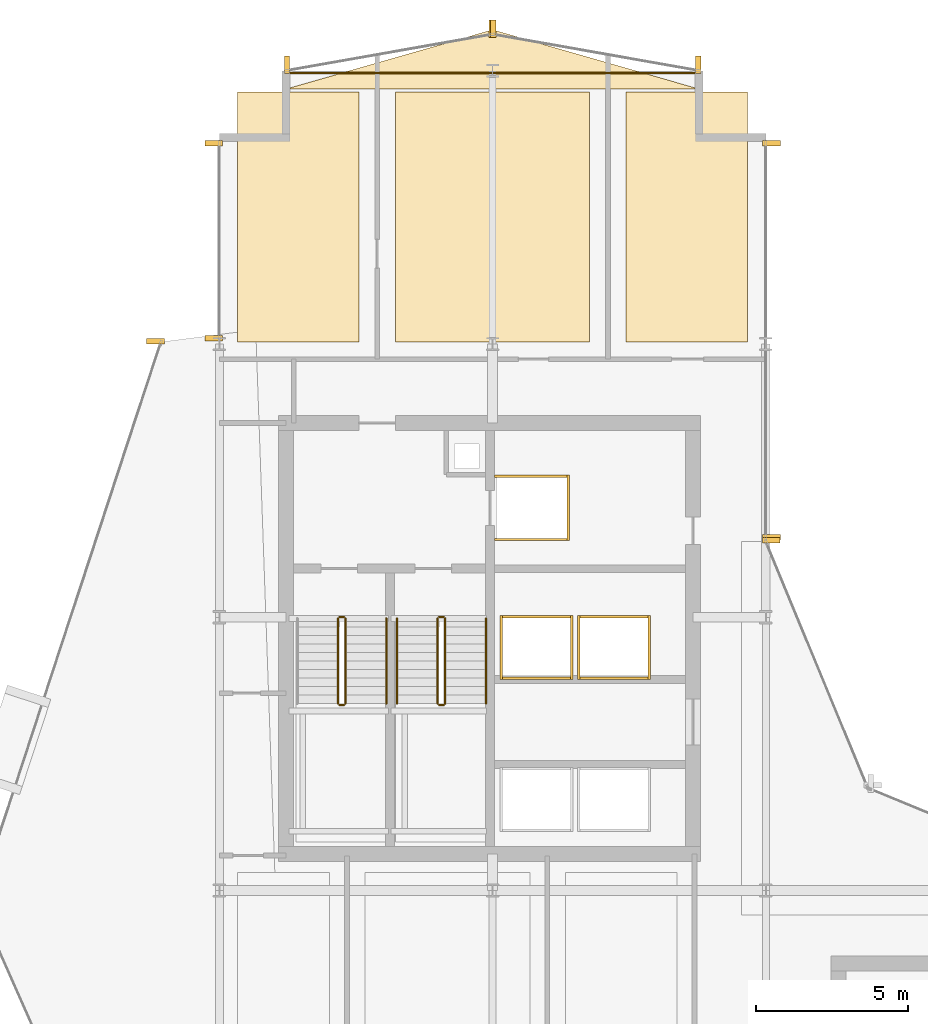
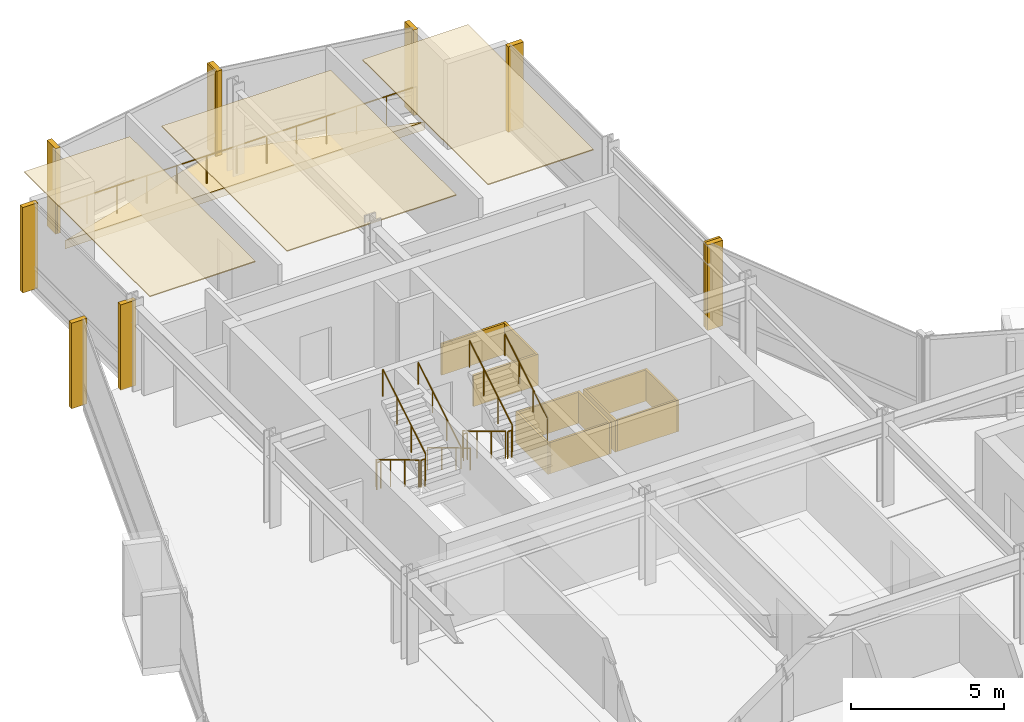
# One storey, part 28 of 28: 25 coverings, 12 railings.
"""IFC4 building model written with IfcOpenShell, lengths in metres."""

from ifc_helpers import new_model, si_unit, direction, frame, origin, origin_2d, place, context, subcontext, project, spatial, polyline, rectangle, circle, outline, extrude, material, layer, layer_set, type_object, element, save


model = new_model("IFC4")

# Units and contexts
model_context = context("Model", 3, precision=1e-05, world=origin(), true_north=direction((0.0, 1.0)))
body_context = subcontext(model_context, "Body", "Model", "MODEL_VIEW")
ifc_project = project(units=[si_unit("LENGTHUNIT", "METRE"), si_unit("AREAUNIT", "SQUARE_METRE"), si_unit("VOLUMEUNIT", "CUBIC_METRE"), si_unit("PLANEANGLEUNIT", "RADIAN"), si_unit("MASSUNIT", "GRAM", prefix="KILO")], contexts=[model_context])

# Site, building, storey
site_placement = place(None, origin())
site = spatial("IfcSite", under=ifc_project, at=site_placement, CompositionType="ELEMENT")
building_placement = place(site_placement, origin())
building = spatial("IfcBuilding", under=site, at=building_placement, Name="Solvaryn Broadcast Tower", CompositionType="ELEMENT")
storey_placement = place(building_placement, frame((0.0, 0.0, 150.699951171875)))
storey = spatial("IfcBuildingStorey", under=building, at=storey_placement, Name="L37", CompositionType="ELEMENT", Elevation=150.699951171875)

# Coverings
ifc_material_1 = material(Name="Micro-Perforated Acoustic Gypsum Ceiling", Category="concrete")
ifc_layer_1 = layer(ifc_material_1, 0.0400390625)
ifc_layer_set_1 = layer_set([ifc_layer_1], Name="CV-CEIL-ACOUSTIC")
covering_type_1 = type_object("IfcCoveringType", Name="CV-CEIL-ACOUSTIC", PredefinedType="CEILING", material=ifc_layer_set_1)
covering_1_placement = place(storey_placement, frame((0.0, 0.0, 3.380126953125)))
element("IfcCovering", 1, at=covering_1_placement, inside=storey, type_object=covering_type_1, Name="L37 Room Acoustic Ceiling 8", PredefinedType="CEILING", context=body_context, shape_type="SweptSolid", body=[
    extrude(outline(polyline([(9.60009765625, 45.070068359375), (13.60009765625, 45.070068359375), (13.60009765625, 53.300048828125), (9.60009765625, 53.300048828125), (9.60009765625, 45.070068359375)])), origin(), (0.0, 0.0, 1.0), 0.0400390625),
])
covering_2_placement = place(storey_placement, frame((0.0, 0.0, 3.380126953125)))
element("IfcCovering", 2, at=covering_2_placement, inside=storey, type_object=covering_type_1, Name="L37 Room Acoustic Ceiling 9", PredefinedType="CEILING", context=body_context, shape_type="SweptSolid", body=[
    extrude(outline(polyline([(14.800048828125, 45.070068359375), (21.199951171875, 45.070068359375), (21.199951171875, 53.300048828125), (14.800048828125, 53.300048828125), (14.800048828125, 45.070068359375)])), origin(), (0.0, 0.0, 1.0), 0.0400390625),
])
covering_3_placement = place(storey_placement, frame((0.0, 0.0, 3.380126953125)))
element("IfcCovering", 3, at=covering_3_placement, inside=storey, type_object=covering_type_1, Name="L37 Room Acoustic Ceiling 10", PredefinedType="CEILING", context=body_context, shape_type="SweptSolid", body=[
    extrude(outline(polyline([(22.39990234375, 45.070068359375), (26.39990234375, 45.070068359375), (26.39990234375, 53.300048828125), (22.39990234375, 53.300048828125), (22.39990234375, 45.070068359375)])), origin(), (0.0, 0.0, 1.0), 0.0400390625),
])
ifc_material_2 = material(Name="Fire-Rated Gypsum Shaftwall Liner", Category="concrete")
ifc_layer_2 = layer(ifc_material_2, 0.080078125)
ifc_layer_set_2 = layer_set([ifc_layer_2], Name="CV-SHAFT-LINER")
covering_type_2 = type_object("IfcCoveringType", Name="CV-SHAFT-LINER", PredefinedType="CLADDING", material=ifc_layer_set_2)
for number, where, z_axis, x_axis, name in (
    (4, (19.300048828125, 40.639892578125, 0.0), (0.0, 0.0, 1.0), (1.0, 0.0, 0.0), "L37 FL1 Hoistway Shaft Liner North"),
    (5, (19.300048828125, 38.56005859375, 0.0), (0.0, 0.0, 1.0), (1.0, 0.0, 0.0), "L37 FL1 Hoistway Shaft Liner South"),
):
    element("IfcCovering", number, at=place(storey_placement, frame(where, z_axis=z_axis, x_axis=x_axis)), inside=storey, type_object=covering_type_2, Name=name, PredefinedType="CLADDING", context=body_context, shape_type="SweptSolid", body=[
        extrude(rectangle(XDim=2.4599609375, YDim=0.080078125, at=origin_2d()), origin(), (0.0, 0.0, 1.0), 1.25),
    ])
covering_4_placement = place(storey_placement, frame((20.489990234375, 39.60009765625, 0.0), z_axis=(0.0, 0.0, 1.0), x_axis=(1.0, 0.0, 0.0)))
element("IfcCovering", 6, at=covering_4_placement, inside=storey, type_object=covering_type_2, Name="L37 FL1 Hoistway Shaft Liner East", PredefinedType="CLADDING", context=body_context, shape_type="SweptSolid", body=[
    extrude(rectangle(XDim=0.080078125, YDim=2.159912109375, at=origin_2d()), origin(), (0.0, 0.0, 1.0), 1.25),
])
for number, where, z_axis, x_axis, name in (
    (7, (19.449951171875, 36.014892578125, 0.0), (0.0, 0.0, 1.0), (1.0, 0.0, 0.0), "L37 PH3 Hoistway Shaft Liner North"),
    (8, (19.449951171875, 33.985107421875, 0.0), (0.0, 0.0, 1.0), (1.0, 0.0, 0.0), "L37 PH3 Hoistway Shaft Liner South"),
):
    element("IfcCovering", number, at=place(storey_placement, frame(where, z_axis=z_axis, x_axis=x_axis)), inside=storey, type_object=covering_type_2, Name=name, PredefinedType="CLADDING", context=body_context, shape_type="SweptSolid", body=[
        extrude(rectangle(XDim=2.409912109375, YDim=0.080078125, at=origin_2d()), origin(), (0.0, 0.0, 1.0), 1.25),
    ])
for number, where, z_axis, x_axis, name in (
    (9, (20.614990234375, 35.0, 0.0), (0.0, 0.0, 1.0), (1.0, 0.0, 0.0), "L37 PH3 Hoistway Shaft Liner East"),
    (10, (18.284912109375, 35.0, 0.0), (0.0, 0.0, 1.0), (1.0, 0.0, 0.0), "L37 PH3 Hoistway Shaft Liner West"),
):
    element("IfcCovering", number, at=place(storey_placement, frame(where, z_axis=z_axis, x_axis=x_axis)), inside=storey, type_object=covering_type_2, Name=name, PredefinedType="CLADDING", context=body_context, shape_type="SweptSolid", body=[
        extrude(rectangle(XDim=0.080078125, YDim=2.110107421875, at=origin_2d()), origin(), (0.0, 0.0, 1.0), 1.25),
    ])
for number, where, z_axis, x_axis, name in (
    (11, (22.0, 36.014892578125, 0.0), (0.0, 0.0, 1.0), (1.0, 0.0, 0.0), "L37 PH4 Hoistway Shaft Liner North"),
    (12, (22.0, 33.985107421875, 0.0), (0.0, 0.0, 1.0), (1.0, 0.0, 0.0), "L37 PH4 Hoistway Shaft Liner South"),
):
    element("IfcCovering", number, at=place(storey_placement, frame(where, z_axis=z_axis, x_axis=x_axis)), inside=storey, type_object=covering_type_2, Name=name, PredefinedType="CLADDING", context=body_context, shape_type="SweptSolid", body=[
        extrude(rectangle(XDim=2.409912109375, YDim=0.080078125, at=origin_2d()), origin(), (0.0, 0.0, 1.0), 1.25),
    ])
for number, where, z_axis, x_axis, name in (
    (13, (23.1650390625, 35.0, 0.0), (0.0, 0.0, 1.0), (1.0, 0.0, 0.0), "L37 PH4 Hoistway Shaft Liner East"),
    (14, (20.8349609375, 35.0, 0.0), (0.0, 0.0, 1.0), (1.0, 0.0, 0.0), "L37 PH4 Hoistway Shaft Liner West"),
):
    element("IfcCovering", number, at=place(storey_placement, frame(where, z_axis=z_axis, x_axis=x_axis)), inside=storey, type_object=covering_type_2, Name=name, PredefinedType="CLADDING", context=body_context, shape_type="SweptSolid", body=[
        extrude(rectangle(XDim=0.080078125, YDim=2.110107421875, at=origin_2d()), origin(), (0.0, 0.0, 1.0), 1.25),
    ])
ifc_material_3 = material(Name="Extruded Architectural Terracotta Fin", Category="masonry")
ifc_layer_3 = layer(ifc_material_3, 0.179931640625)
ifc_layer_set_3 = layer_set([ifc_layer_3], Name="CV-TC-FIN")
covering_type_3 = type_object("IfcCoveringType", Name="CV-TC-FIN", PredefinedType="USERDEFINED", material=ifc_layer_set_3)
for number, where, z_axis, x_axis, name in (
    (15, (6.898681640625, 45.0947265625, 0.0), (0.0, 0.0, 1.0), (1.0, 0.0, 0.0), "L37 Terracotta Vertical Fin FIN-L37-DR1-M00"),
    (16, (8.8125, 45.197021484375, 0.0), (0.0, 0.0, 1.0), (1.0, 0.0, 0.0), "L37 Terracotta Vertical Fin FIN-L37-W2-M00"),
    (17, (8.8125, 51.6201171875, 0.0), (0.0, 0.0, 1.0), (1.0, 0.0, 0.0), "L37 Terracotta Vertical Fin FIN-L37-W2-M01"),
    (18, (27.1875, 51.6201171875, 0.0), (0.0, 0.0, 1.0), (1.0, 0.0, 0.0), "L37 Terracotta Vertical Fin FIN-L37-IV-M00"),
    (19, (27.1875, 38.6298828125, 0.0), (0.0, 0.0, 1.0), (1.0, 0.0, 0.0), "L37 Terracotta Vertical Fin FIN-L37-IV-M01"),
    (20, (27.177978515625, 38.541259765625, 0.0), (0.0, 0.0, 1.0), (1.0, 0.0, 0.0), "L37 Terracotta Vertical Fin FIN-L37-CN2-M01"),
):
    element("IfcCovering", number, at=place(storey_placement, frame(where, z_axis=z_axis, x_axis=x_axis)), inside=storey, type_object=covering_type_3, Name=name, ObjectType="FIN", PredefinedType="USERDEFINED", context=body_context, shape_type="SweptSolid", body=[
        extrude(rectangle(XDim=0.580078125, YDim=0.179931640625, at=origin_2d()), origin(), (0.0, 0.0, 1.0), 3.419921875),
    ])
for number, where, z_axis, x_axis, name in (
    (21, (24.7705078125, 54.192626953125, 0.0), (0.0, 0.0, 1.0), (1.0, 0.0, 0.0), "L37 Terracotta Vertical Fin FIN-L37-NT1-M00"),
    (22, (18.029541015625, 55.38232421875, 0.0), (0.0, 0.0, 1.0), (1.0, 0.0, 0.0), "L37 Terracotta Vertical Fin FIN-L37-NT1-M01"),
    (23, (17.970458984375, 55.38232421875, 0.0), (0.0, 0.0, 1.0), (1.0, 0.0, 0.0), "L37 Terracotta Vertical Fin FIN-L37-NT2-M00"),
    (24, (11.2294921875, 54.192626953125, 0.0), (0.0, 0.0, 1.0), (1.0, 0.0, 0.0), "L37 Terracotta Vertical Fin FIN-L37-NT2-M01"),
):
    element("IfcCovering", number, at=place(storey_placement, frame(where, z_axis=z_axis, x_axis=x_axis)), inside=storey, type_object=covering_type_3, Name=name, ObjectType="FIN", PredefinedType="USERDEFINED", context=body_context, shape_type="SweptSolid", body=[
        extrude(rectangle(XDim=0.179931640625, YDim=0.580078125, at=origin_2d()), origin(), (0.0, 0.0, 1.0), 3.419921875),
    ])
ifc_material_4 = material(Name="Sculpted Architectural Terracotta Wave Fascia", Category="masonry")
ifc_layer_4 = layer(ifc_material_4, 0.340087890625)
ifc_layer_set_4 = layer_set([ifc_layer_4], Name="CV-WAVE-TRAY")
covering_type_4 = type_object("IfcCoveringType", Name="CV-WAVE-TRAY", PredefinedType="CLADDING", material=ifc_layer_set_4)
covering_5_placement = place(storey_placement, frame((0.0, 0.0, -0.300048828125)))
element("IfcCovering", 25, at=covering_5_placement, inside=storey, type_object=covering_type_4, Name="L37 North Curved Wing Deck", PredefinedType="CLADDING", context=body_context, shape_type="SweptSolid", body=[
    extrude(outline(polyline([(11.199951171875, 53.39990234375), (24.800048828125, 53.39990234375), (18.0, 55.35009765625), (11.199951171875, 53.39990234375)])), origin(), (0.0, 0.0, 1.0), 0.330078125),
])

# Railings
ifc_material_5 = material(Name="Painted Steel Stair Well Guard", Category="steel")
railing_type_1 = type_object("IfcRailingType", Name="RL-STAIR-GUARD", PredefinedType="BALUSTRADE", material=ifc_material_5)
railing_1_placement = place(storey_placement, frame((12.909912109375, 35.9599609375, 0.168212890625)))
element("IfcRailing", 26, at=railing_1_placement, inside=storey, type_object=railing_type_1, Name="L37 ST1 stair guard 1", PredefinedType="BALUSTRADE", context=body_context, shape_type="SweptSolid", body=[
    extrude(circle(Radius=0.02392578125, at=origin_2d()), frame((0.0, 0.0, 1.076171875), z_axis=(0.0, -0.857242210791, 0.514913383045), x_axis=(1.0, 0.0, 0.0)), (0.0, 0.0, 1.0), 3.266357421875),
    extrude(circle(Radius=0.02099609375, at=origin_2d()), origin(), (0.0, 0.0, 1.0), 1.052001953125),
    extrude(circle(Radius=0.02099609375, at=origin_2d()), frame((0.0, -0.933349609375, 0.560546875)), (0.0, 0.0, 1.0), 1.052001953125),
    extrude(circle(Radius=0.02099609375, at=origin_2d()), frame((0.0, -1.86669921875, 1.121337890625)), (0.0, 0.0, 1.0), 1.052001953125),
    extrude(circle(Radius=0.02099609375, at=origin_2d()), frame((0.0, -2.800048828125, 1.681884765625)), (0.0, 0.0, 1.0), 1.052001953125),
])
railing_2_placement = place(storey_placement, frame((12.9599609375, 33.110107421875, 1.85009765625)))
element("IfcRailing", 27, at=railing_2_placement, inside=storey, type_object=railing_type_1, Name="L37 ST1 stair guard 2", PredefinedType="BALUSTRADE", context=body_context, shape_type="SweptSolid", body=[
    extrude(circle(Radius=0.02392578125, at=origin_2d()), frame((0.0, 0.0, 1.076171875), z_axis=(1.0, 0.0, 0.0), x_axis=(0.0, 1.0, 0.0)), (0.0, 0.0, 1.0), 0.150146484375),
    extrude(circle(Radius=0.02099609375, at=origin_2d()), origin(), (0.0, 0.0, 1.0), 1.052001953125),
    extrude(circle(Radius=0.02099609375, at=origin_2d()), frame((0.150146484375, 0.0, 0.0)), (0.0, 0.0, 1.0), 1.052001953125),
])
railing_3_placement = place(storey_placement, frame((13.159912109375, 33.159912109375, 2.018310546875)))
element("IfcRailing", 28, at=railing_3_placement, inside=storey, type_object=railing_type_1, Name="L37 ST1 stair guard 3", PredefinedType="BALUSTRADE", context=body_context, shape_type="SweptSolid", body=[
    extrude(circle(Radius=0.02392578125, at=origin_2d()), frame((0.0, 0.0, 1.076171875), z_axis=(0.0, 0.857275202839, 0.514858452973), x_axis=(-1.0, 0.0, 0.0)), (0.0, 0.0, 1.0), 3.26611328125),
    extrude(circle(Radius=0.02099609375, at=origin_2d()), origin(), (0.0, 0.0, 1.0), 1.052001953125),
    extrude(circle(Radius=0.02099609375, at=origin_2d()), frame((0.0, 0.933349609375, 0.560546875)), (0.0, 0.0, 1.0), 1.052001953125),
    extrude(circle(Radius=0.02099609375, at=origin_2d()), frame((0.0, 1.86669921875, 1.12109375)), (0.0, 0.0, 1.0), 1.052001953125),
    extrude(circle(Radius=0.02099609375, at=origin_2d()), frame((0.0, 2.800048828125, 1.681640625)), (0.0, 0.0, 1.0), 1.052001953125),
])
railing_4_placement = place(storey_placement, frame((12.9599609375, 36.010009765625, 0.0)))
element("IfcRailing", 29, at=railing_4_placement, inside=storey, type_object=railing_type_1, Name="L37 ST1 stair guard 4", PredefinedType="BALUSTRADE", context=body_context, shape_type="SweptSolid", body=[
    extrude(circle(Radius=0.02392578125, at=origin_2d()), frame((0.0, 0.0, 1.076171875), z_axis=(1.0, 0.0, 0.0), x_axis=(0.0, 1.0, 0.0)), (0.0, 0.0, 1.0), 0.150146484375),
    extrude(circle(Radius=0.02099609375, at=origin_2d()), origin(), (0.0, 0.0, 1.0), 1.052001953125),
    extrude(circle(Radius=0.02099609375, at=origin_2d()), frame((0.150146484375, 0.0, 0.0)), (0.0, 0.0, 1.0), 1.052001953125),
])
railing_5_placement = place(storey_placement, frame((16.18994140625, 35.9599609375, 0.168212890625)))
element("IfcRailing", 30, at=railing_5_placement, inside=storey, type_object=railing_type_1, Name="L37 ST2 stair guard 1", PredefinedType="BALUSTRADE", context=body_context, shape_type="SweptSolid", body=[
    extrude(circle(Radius=0.02392578125, at=origin_2d()), frame((0.0, 0.0, 1.076171875), z_axis=(0.0, -0.857242210791, 0.514913383045), x_axis=(1.0, 0.0, 0.0)), (0.0, 0.0, 1.0), 3.266357421875),
    extrude(circle(Radius=0.02099609375, at=origin_2d()), origin(), (0.0, 0.0, 1.0), 1.052001953125),
    extrude(circle(Radius=0.02099609375, at=origin_2d()), frame((0.0, -0.933349609375, 0.560546875)), (0.0, 0.0, 1.0), 1.052001953125),
    extrude(circle(Radius=0.02099609375, at=origin_2d()), frame((0.0, -1.86669921875, 1.121337890625)), (0.0, 0.0, 1.0), 1.052001953125),
    extrude(circle(Radius=0.02099609375, at=origin_2d()), frame((0.0, -2.800048828125, 1.681884765625)), (0.0, 0.0, 1.0), 1.052001953125),
])
railing_6_placement = place(storey_placement, frame((16.239990234375, 33.110107421875, 1.85009765625)))
element("IfcRailing", 31, at=railing_6_placement, inside=storey, type_object=railing_type_1, Name="L37 ST2 stair guard 2", PredefinedType="BALUSTRADE", context=body_context, shape_type="SweptSolid", body=[
    extrude(circle(Radius=0.02392578125, at=origin_2d()), frame((0.0, 0.0, 1.076171875), z_axis=(1.0, 0.0, 0.0), x_axis=(0.0, 1.0, 0.0)), (0.0, 0.0, 1.0), 0.14990234375),
    extrude(circle(Radius=0.02099609375, at=origin_2d()), origin(), (0.0, 0.0, 1.0), 1.052001953125),
    extrude(circle(Radius=0.02099609375, at=origin_2d()), frame((0.14990234375, 0.0, 0.0)), (0.0, 0.0, 1.0), 1.052001953125),
])
railing_7_placement = place(storey_placement, frame((16.43994140625, 33.159912109375, 2.018310546875)))
element("IfcRailing", 32, at=railing_7_placement, inside=storey, type_object=railing_type_1, Name="L37 ST2 stair guard 3", PredefinedType="BALUSTRADE", context=body_context, shape_type="SweptSolid", body=[
    extrude(circle(Radius=0.02392578125, at=origin_2d()), frame((0.0, 0.0, 1.076171875), z_axis=(0.0, 0.857275202839, 0.514858452973), x_axis=(-1.0, 0.0, 0.0)), (0.0, 0.0, 1.0), 3.26611328125),
    extrude(circle(Radius=0.02099609375, at=origin_2d()), origin(), (0.0, 0.0, 1.0), 1.052001953125),
    extrude(circle(Radius=0.02099609375, at=origin_2d()), frame((0.0, 0.933349609375, 0.560546875)), (0.0, 0.0, 1.0), 1.052001953125),
    extrude(circle(Radius=0.02099609375, at=origin_2d()), frame((0.0, 1.86669921875, 1.12109375)), (0.0, 0.0, 1.0), 1.052001953125),
    extrude(circle(Radius=0.02099609375, at=origin_2d()), frame((0.0, 2.800048828125, 1.681640625)), (0.0, 0.0, 1.0), 1.052001953125),
])
railing_8_placement = place(storey_placement, frame((16.239990234375, 36.010009765625, 0.0)))
element("IfcRailing", 33, at=railing_8_placement, inside=storey, type_object=railing_type_1, Name="L37 ST2 stair guard 4", PredefinedType="BALUSTRADE", context=body_context, shape_type="SweptSolid", body=[
    extrude(circle(Radius=0.02392578125, at=origin_2d()), frame((0.0, 0.0, 1.076171875), z_axis=(1.0, 0.0, 0.0), x_axis=(0.0, 1.0, 0.0)), (0.0, 0.0, 1.0), 0.14990234375),
    extrude(circle(Radius=0.02099609375, at=origin_2d()), origin(), (0.0, 0.0, 1.0), 1.052001953125),
    extrude(circle(Radius=0.02099609375, at=origin_2d()), frame((0.14990234375, 0.0, 0.0)), (0.0, 0.0, 1.0), 1.052001953125),
])
ifc_material_6 = material(Name="Brushed Stainless Steel Tubular Handrail", Category="steel")
railing_type_2 = type_object("IfcRailingType", Name="RL-STAIR-HANDRAIL", PredefinedType="HANDRAIL", material=ifc_material_6)
railing_9_placement = place(storey_placement, frame((14.5, 33.159912109375, 2.018310546875)))
element("IfcRailing", 34, at=railing_9_placement, inside=storey, type_object=railing_type_2, Name="L37 ST1 stair handrail 2", PredefinedType="HANDRAIL", context=body_context, shape_type="SweptSolid", body=[
    extrude(circle(Radius=0.02392578125, at=origin_2d()), frame((0.0, 0.0, 0.8759765625), z_axis=(0.0, 0.857275202839, 0.514858452973), x_axis=(-1.0, 0.0, 0.0)), (0.0, 0.0, 1.0), 3.26611328125),
    extrude(circle(Radius=0.02099609375, at=origin_2d()), origin(), (0.0, 0.0, 1.0), 0.851806640625),
    extrude(circle(Radius=0.02099609375, at=origin_2d()), frame((0.0, 0.933349609375, 0.560546875)), (0.0, 0.0, 1.0), 0.851806640625),
    extrude(circle(Radius=0.02099609375, at=origin_2d()), frame((0.0, 1.86669921875, 1.12109375)), (0.0, 0.0, 1.0), 0.851806640625),
    extrude(circle(Radius=0.02099609375, at=origin_2d()), frame((0.0, 2.800048828125, 1.681640625)), (0.0, 0.0, 1.0), 0.851806640625),
])
railing_10_placement = place(storey_placement, frame((14.85009765625, 35.9599609375, 0.168212890625)))
element("IfcRailing", 35, at=railing_10_placement, inside=storey, type_object=railing_type_2, Name="L37 ST2 stair handrail 1", PredefinedType="HANDRAIL", context=body_context, shape_type="SweptSolid", body=[
    extrude(circle(Radius=0.02392578125, at=origin_2d()), frame((0.0, 0.0, 0.8759765625), z_axis=(0.0, -0.857242210791, 0.514913383045), x_axis=(1.0, 0.0, 0.0)), (0.0, 0.0, 1.0), 3.266357421875),
    extrude(circle(Radius=0.02099609375, at=origin_2d()), origin(), (0.0, 0.0, 1.0), 0.851806640625),
    extrude(circle(Radius=0.02099609375, at=origin_2d()), frame((0.0, -0.933349609375, 0.560546875)), (0.0, 0.0, 1.0), 0.851806640625),
    extrude(circle(Radius=0.02099609375, at=origin_2d()), frame((0.0, -1.86669921875, 1.121337890625)), (0.0, 0.0, 1.0), 0.851806640625),
    extrude(circle(Radius=0.02099609375, at=origin_2d()), frame((0.0, -2.800048828125, 1.681884765625)), (0.0, 0.0, 1.0), 0.851806640625),
])
railing_11_placement = place(storey_placement, frame((17.780029296875, 33.159912109375, 2.018310546875)))
element("IfcRailing", 36, at=railing_11_placement, inside=storey, type_object=railing_type_2, Name="L37 ST2 stair handrail 2", PredefinedType="HANDRAIL", context=body_context, shape_type="SweptSolid", body=[
    extrude(circle(Radius=0.02392578125, at=origin_2d()), frame((0.0, 0.0, 0.8759765625), z_axis=(0.0, 0.857275202839, 0.514858452973), x_axis=(-1.0, 0.0, 0.0)), (0.0, 0.0, 1.0), 3.26611328125),
    extrude(circle(Radius=0.02099609375, at=origin_2d()), origin(), (0.0, 0.0, 1.0), 0.851806640625),
    extrude(circle(Radius=0.02099609375, at=origin_2d()), frame((0.0, 0.933349609375, 0.560546875)), (0.0, 0.0, 1.0), 0.851806640625),
    extrude(circle(Radius=0.02099609375, at=origin_2d()), frame((0.0, 1.86669921875, 1.12109375)), (0.0, 0.0, 1.0), 0.851806640625),
    extrude(circle(Radius=0.02099609375, at=origin_2d()), frame((0.0, 2.800048828125, 1.681640625)), (0.0, 0.0, 1.0), 0.851806640625),
])
ifc_material_7 = material(Name="Stainless Steel and Laminated Glass Guard", Category="steel")
railing_type_3 = type_object("IfcRailingType", Name="RL-TER-1150", PredefinedType="BALUSTRADE", material=ifc_material_7)
railing_12_placement = place(storey_placement, frame((11.199951171875, 53.919921875, 0.0)))
element("IfcRailing", 37, at=railing_12_placement, inside=storey, type_object=railing_type_3, Name="L37 North Wing Spandrel Edge Guard", PredefinedType="BALUSTRADE", context=body_context, shape_type="SweptSolid", body=[
    extrude(circle(Radius=0.02392578125, at=origin_2d()), frame((0.0, 0.0, 1.1259765625), z_axis=(1.0, 0.0, 0.0), x_axis=(0.0, 1.0, 0.0)), (0.0, 0.0, 1.0), 13.60009765625),
    extrude(circle(Radius=0.02099609375, at=origin_2d()), origin(), (0.0, 0.0, 1.0), 1.101806640625),
    extrude(circle(Radius=0.02099609375, at=origin_2d()), frame((1.13330078125, 0.0, 0.0)), (0.0, 0.0, 1.0), 1.101806640625),
    extrude(circle(Radius=0.02099609375, at=origin_2d()), frame((2.2666015625, 0.0, 0.0)), (0.0, 0.0, 1.0), 1.101806640625),
    extrude(circle(Radius=0.02099609375, at=origin_2d()), frame((3.39990234375, 0.0, 0.0)), (0.0, 0.0, 1.0), 1.101806640625),
    extrude(circle(Radius=0.02099609375, at=origin_2d()), frame((4.533447265625, 0.0, 0.0)), (0.0, 0.0, 1.0), 1.101806640625),
    extrude(circle(Radius=0.02099609375, at=origin_2d()), frame((5.666748046875, 0.0, 0.0)), (0.0, 0.0, 1.0), 1.101806640625),
    extrude(circle(Radius=0.02099609375, at=origin_2d()), frame((6.800048828125, 0.0, 0.0)), (0.0, 0.0, 1.0), 1.101806640625),
    extrude(circle(Radius=0.02099609375, at=origin_2d()), frame((7.933349609375, 0.0, 0.0)), (0.0, 0.0, 1.0), 1.101806640625),
    extrude(circle(Radius=0.02099609375, at=origin_2d()), frame((9.066650390625, 0.0, 0.0)), (0.0, 0.0, 1.0), 1.101806640625),
    extrude(circle(Radius=0.02099609375, at=origin_2d()), frame((10.2001953125, 0.0, 0.0)), (0.0, 0.0, 1.0), 1.101806640625),
    extrude(circle(Radius=0.02099609375, at=origin_2d()), frame((11.33349609375, 0.0, 0.0)), (0.0, 0.0, 1.0), 1.101806640625),
    extrude(circle(Radius=0.02099609375, at=origin_2d()), frame((12.466796875, 0.0, 0.0)), (0.0, 0.0, 1.0), 1.101806640625),
    extrude(circle(Radius=0.02099609375, at=origin_2d()), frame((13.60009765625, 0.0, 0.0)), (0.0, 0.0, 1.0), 1.101806640625),
])

save(model, "model.ifc")
